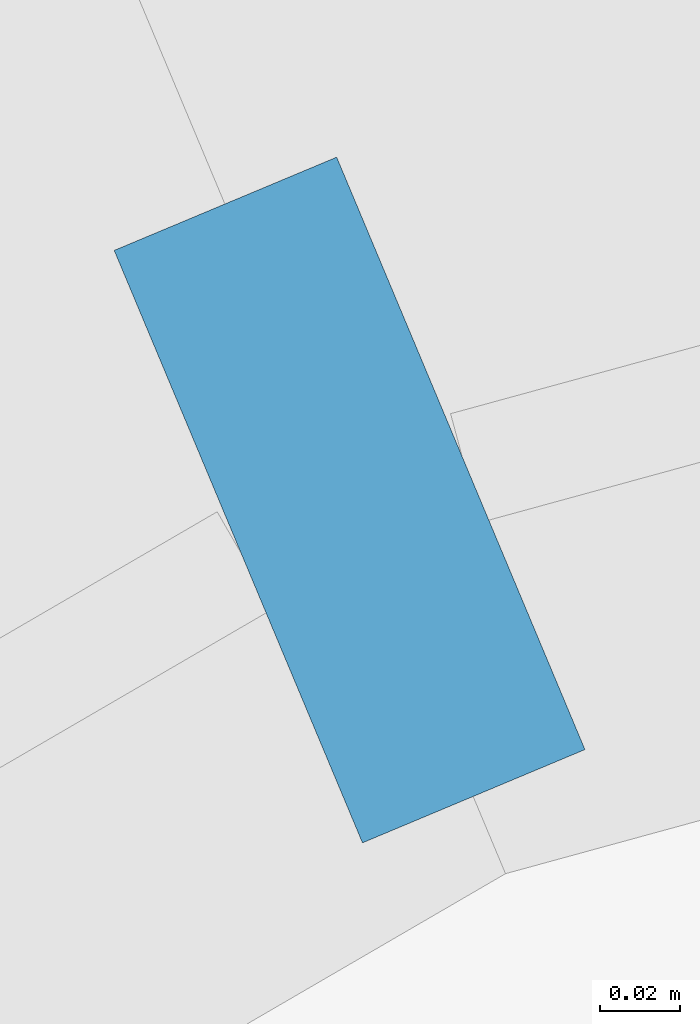
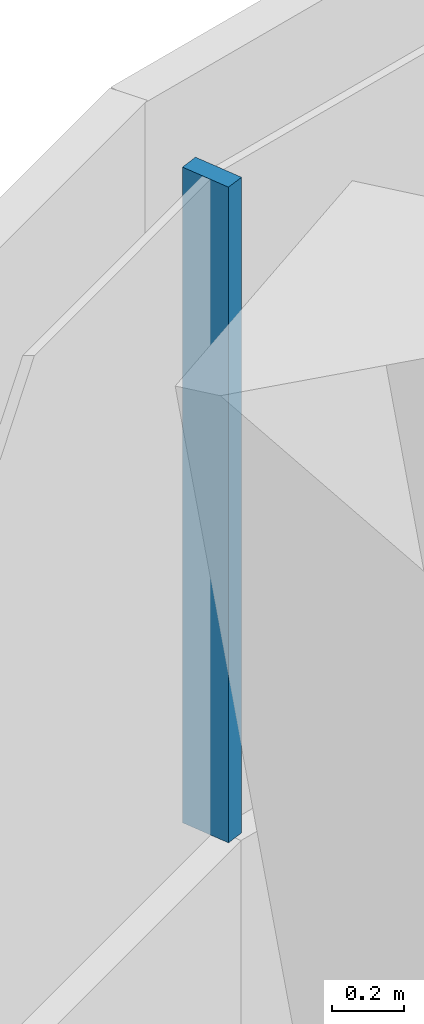
# One storey, part 18 of 35: 1 member, 1 element without a shape of its own.
"""IFC4 building model written with IfcOpenShell, lengths in metres."""

from ifc_helpers import new_model, si_unit, direction, frame, origin, origin_2d, place, context, subcontext, project, spatial, rectangle, extrude, material, layer, layer_set, material_profile, profile_set, type_object, element, aggregate, save


model = new_model("IFC4")

# Units and contexts
model_context = context("Model", 3, precision=1e-05, world=origin(), true_north=direction((0.0, 1.0)))
body_context = subcontext(model_context, "Body", "Model", "MODEL_VIEW")
ifc_project = project(units=[si_unit("LENGTHUNIT", "METRE"), si_unit("AREAUNIT", "SQUARE_METRE"), si_unit("VOLUMEUNIT", "CUBIC_METRE"), si_unit("PLANEANGLEUNIT", "RADIAN"), si_unit("MASSUNIT", "GRAM", prefix="KILO")], contexts=[model_context])

# Site, building, storey
site_placement = place(None, origin())
site = spatial("IfcSite", under=ifc_project, at=site_placement, CompositionType="ELEMENT")
building_placement = place(site_placement, origin())
building = spatial("IfcBuilding", under=site, at=building_placement, Name="Tamarind Cross Interchange Tower", CompositionType="ELEMENT")
storey_placement = place(building_placement, frame((0.0, 0.0, 144.25)))
storey = spatial("IfcBuildingStorey", under=building, at=storey_placement, Name="L35", CompositionType="ELEMENT", Elevation=144.25)

# Curtain wall, member
ifc_material = material(Name="Aluminium 6063-T6", Category="aluminium")
ifc_layer = layer(ifc_material, 0.159912109375)
ifc_layer_set = layer_set([ifc_layer], Name="Aluminium 6063-T6")
curtain_wall_type = type_object("IfcCurtainWallType", Name="Office curtain wall, 9.0 m bays", PredefinedType="NOTDEFINED", material=ifc_layer_set)
curtain_wall_placement = place(storey_placement, origin())
curtain_wall = element("IfcCurtainWall", 1, at=curtain_wall_placement, inside=storey, type_object=curtain_wall_type, Name="CWS-L35-09", PredefinedType="NOTDEFINED")
ifc_material_profile = material_profile(ifc_material, rectangle(XDim=0.06005859375, YDim=0.159912109375, at=origin_2d()), Name="Mullion CW1")
ifc_profile_set = profile_set([ifc_material_profile], Name="Aluminium 6063-T6")
member_type = type_object("IfcMemberType", Name="Mullion CW1", PredefinedType="MULLION", material=ifc_profile_set)
member_placement = place(storey_placement, frame((40.661865234375, 18.780517578125, 1.39990234375), z_axis=(0.0, 0.0, 1.0), x_axis=(-0.922273339553, -0.386538338525, 0.0)))
member = element("IfcMember", 2, at=member_placement, type_object=member_type, Name="CWM-L35-09-00", PredefinedType="MULLION", context=body_context, shape_type="SweptSolid", body=[
    extrude(rectangle(XDim=0.06005859375, YDim=0.159912109375, at=origin_2d()), origin(), (0.0, 0.0, 1.0), 2.210205078125),
])
aggregate(curtain_wall, [member])

save(model, "model.ifc")
